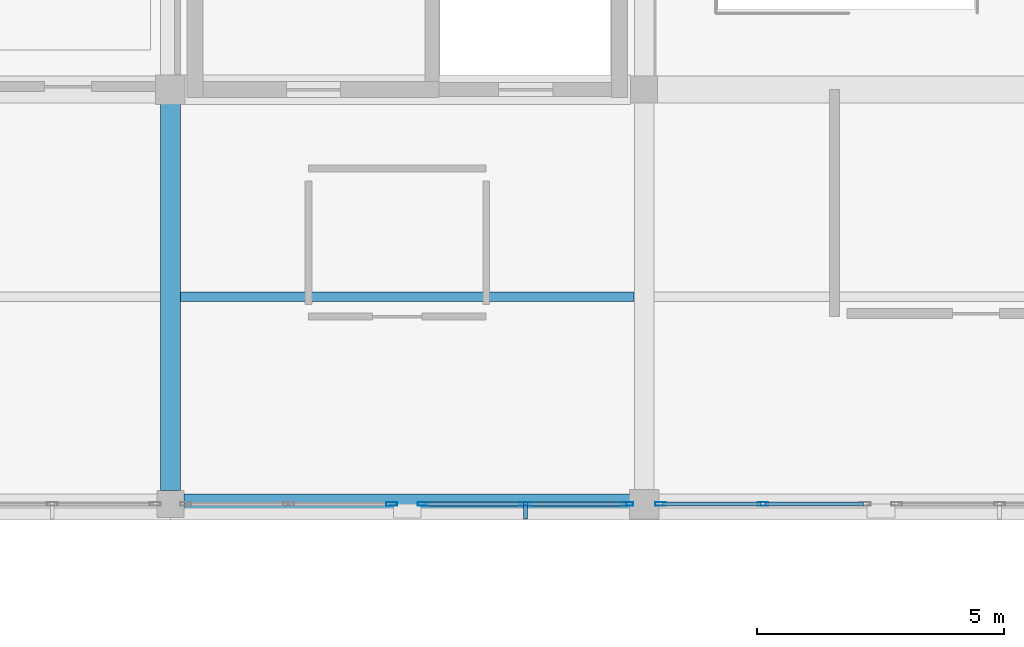
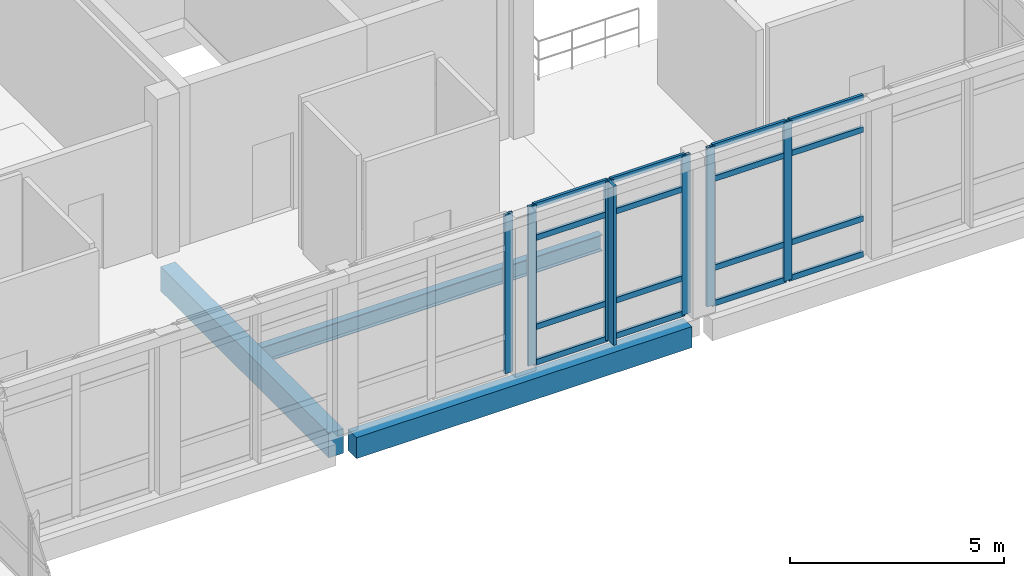
# One storey, part 21 of 88: 23 members, 3 beams, 3 elements without a shape of their own.
"""IFC4 building model written with IfcOpenShell, lengths in metres."""

import ifcopenshell
import ifcopenshell.guid

model = None  # the IFC model being written
_history = None  # IfcOwnerHistory: only IFC2X3 demands one
_inside = {}  # id of a spatial element -> (the spatial element, [elements in it])
_under = {}  # id of a project, library or spatial element -> (it, [spatial elements below it])
_declared = {}  # id of a project -> (the project, [libraries it declares])
_typed = {}  # id of a type object -> (the type object, [elements of that type])
_made_of = {}  # id of a material, layer set ... -> (it, [elements and type objects made of it])


def new_model(schema):
    """Start an empty IFC model of exactly this schema.

    Asked for "IFC4X3", IfcOpenShell would pick the latest addendum, in which some entities
    have other attributes; the version numbers below select the first issue.
    IFC2X3 requires an IfcOwnerHistory on every rooted entity: one is made here for all.
    """
    global model, _history
    if schema == "IFC4X3":
        model = ifcopenshell.file(schema_version=(4, 3, 0, 0))
    else:
        model = ifcopenshell.file(schema=schema)
    _inside.clear()
    _under.clear()
    _declared.clear()
    _typed.clear()
    _made_of.clear()
    _history = None
    if model.schema == "IFC2X3":
        org = make("IfcOrganization", Name="unknown")
        user = make(
            "IfcPersonAndOrganization",
            ThePerson=make("IfcPerson", FamilyName="unknown"),
            TheOrganization=org,
        )
        app = make(
            "IfcApplication",
            ApplicationDeveloper=org,
            Version="unknown",
            ApplicationFullName="unknown",
            ApplicationIdentifier="unknown",
        )
        _history = make(
            "IfcOwnerHistory",
            OwningUser=user,
            OwningApplication=app,
            ChangeAction="ADDED",
            CreationDate=0,
        )
    return model


def make(cls, **values):
    """One entity of the class cls with the attributes given. An attribute that is None is left unset."""
    return model.create_entity(
        cls, **{name: value for name, value in values.items() if value is not None}
    )


def rooted(cls, **values):
    """An entity with a GlobalId (a new one), such as an element, a storey or a relation."""
    return make(cls, GlobalId=ifcopenshell.guid.new(), OwnerHistory=_history, **values)


def si_unit(unit_type, name, prefix=None):
    """IfcSIUnit, for example si_unit("LENGTHUNIT", "METRE", prefix="MILLI")."""
    return make("IfcSIUnit", UnitType=unit_type, Prefix=prefix, Name=name)


def assignment(units):
    """IfcUnitAssignment: the units of a project."""
    return None if units is None else make("IfcUnitAssignment", Units=units)


def point(xyz):
    """IfcCartesianPoint."""
    return None if xyz is None else make("IfcCartesianPoint", Coordinates=xyz)


def direction(xyz):
    """IfcDirection."""
    return None if xyz is None else make("IfcDirection", DirectionRatios=xyz)


def frame(location, z_axis=None, x_axis=None):
    """IfcAxis2Placement3D, a coordinate frame: its origin and axes. An axis left out is left unset."""
    return make(
        "IfcAxis2Placement3D",
        Location=point(location),
        Axis=direction(z_axis),
        RefDirection=direction(x_axis),
    )


def frame_2d(location, x_axis=None):
    """IfcAxis2Placement2D, a coordinate frame in the plane: its origin and x axis."""
    return make(
        "IfcAxis2Placement2D", Location=point(location), RefDirection=direction(x_axis)
    )


def origin():
    """The frame at (0, 0, 0) with its axes left unset."""
    return frame((0.0, 0.0, 0.0))


def origin_2d():
    """The frame at (0, 0) in the plane with its x axis left unset."""
    return frame_2d((0.0, 0.0))


def place(relative_to, where):
    """IfcLocalPlacement: puts the frame where relative to a parent placement (None: the world)."""
    return make(
        "IfcLocalPlacement", PlacementRelTo=relative_to, RelativePlacement=where
    )


def context(
    kind, dimensions, precision=None, world=None, true_north=None, identifier=None
):
    """IfcGeometricRepresentationContext, for example the 3D "Model" context."""
    return make(
        "IfcGeometricRepresentationContext",
        ContextIdentifier=identifier,
        ContextType=kind,
        CoordinateSpaceDimension=dimensions,
        Precision=precision,
        WorldCoordinateSystem=world,
        TrueNorth=true_north,
    )


def subcontext(parent, identifier, kind, view, scale=None):
    """IfcGeometricRepresentationSubContext, for example "Body" below "Model"."""
    return make(
        "IfcGeometricRepresentationSubContext",
        ContextIdentifier=identifier,
        ContextType=kind,
        ParentContext=parent,
        TargetScale=scale,
        TargetView=view,
    )


def project(units=None, contexts=None):
    """IfcProject with its units and contexts."""
    return rooted(
        "IfcProject",
        Name="project",
        RepresentationContexts=contexts,
        UnitsInContext=assignment(units),
    )


def spatial(cls, under=None, at=None, **own):
    """A site, building, storey or space (cls), placed at a placement, below another one or the project."""
    s = rooted(cls, ObjectPlacement=at, **own)
    if under is not None:
        _under.setdefault(under.id(), (under, []))[1].append(s)
    return s


def profile(cls, at=None, kind="AREA", **sizes):
    """A parametric profile (cls). Its sizes go by their IFC names, for example OverallWidth=200.0."""
    return make(cls, ProfileType=kind, Position=at, **sizes)


def rectangle(**sizes):
    """IfcRectangleProfileDef."""
    return profile("IfcRectangleProfileDef", **sizes)


def hollow_rectangle(**sizes):
    """IfcRectangleHollowProfileDef."""
    return profile("IfcRectangleHollowProfileDef", **sizes)


def i_section(**sizes):
    """IfcIShapeProfileDef."""
    return profile("IfcIShapeProfileDef", **sizes)


def extrude(swept, where, along, depth):
    """IfcExtrudedAreaSolid: the profile swept, set in the frame where, extruded along a direction by depth."""
    return make(
        "IfcExtrudedAreaSolid",
        SweptArea=swept,
        Position=where,
        ExtrudedDirection=direction(along),
        Depth=depth,
    )


def shape(context_of_items, identifier, shape_type, items):
    """IfcShapeRepresentation: the items that make up one representation, for example the "Body"."""
    return make(
        "IfcShapeRepresentation",
        ContextOfItems=context_of_items,
        RepresentationIdentifier=identifier,
        RepresentationType=shape_type,
        Items=items,
    )


def material(Name=None, Category=None):
    """IfcMaterial."""
    return make("IfcMaterial", Name=Name, Category=Category)


def layer(
    of_material, thickness, ventilated=None, Name=None, Category=None, Priority=None
):
    """IfcMaterialLayer: one layer of a wall or slab, of a material (None: an air gap)."""
    return make(
        "IfcMaterialLayer",
        Material=of_material,
        LayerThickness=thickness,
        IsVentilated=ventilated,
        Name=Name,
        Category=Category,
        Priority=Priority,
    )


def layer_set(layers, Name=None):
    """IfcMaterialLayerSet."""
    return make("IfcMaterialLayerSet", MaterialLayers=layers, LayerSetName=Name)


def material_profile(
    of_material, cross_section, Name=None, Category=None, Priority=None
):
    """IfcMaterialProfile: a cross section and its material."""
    return make(
        "IfcMaterialProfile",
        Name=Name,
        Material=of_material,
        Profile=cross_section,
        Priority=Priority,
        Category=Category,
    )


def profile_set(profiles, Name=None, composite=None):
    """IfcMaterialProfileSet."""
    return make(
        "IfcMaterialProfileSet",
        Name=Name,
        MaterialProfiles=profiles,
        CompositeProfile=composite,
    )


def made_of(thing, what):
    """Note that an element or type object is made of a material, layer set ...; save() writes the relation."""
    if what is not None:
        _made_of.setdefault(what.id(), (what, []))[1].append(thing)
    return thing


def type_object(cls, material=None, **own):
    """A type object (cls), such as IfcWallType, which elements share."""
    return made_of(rooted(cls, **own), material)


def element(
    cls,
    number,
    at=None,
    inside=None,
    cuts=None,
    type_object=None,
    material=None,
    context=None,
    identifier="Body",
    shape_type=None,
    held_by="IfcProductDefinitionShape",
    body=None,
    shapes=None,
    **own,
):
    """One element of the class cls, such as IfcWall. Its Tag is "e" and its number.

    at: its placement. inside: the storey or other place that contains it. cuts: it is an
    opening in that element (IfcRelVoidsElement). A single representation is given by context,
    identifier, shape_type and body (its items); several are given by shapes. held_by: the class
    of the entity that holds the representations. save() writes the other relations.
    """
    e = rooted(cls, Tag="e%d" % number, ObjectPlacement=at, **own)
    if body is not None:
        shapes = [shape(context, identifier, shape_type, body)]
    if shapes is not None:
        e.Representation = make(held_by, Representations=shapes)
    if inside is not None:
        _inside.setdefault(inside.id(), (inside, []))[1].append(e)
    if cuts is not None:
        rooted(
            "IfcRelVoidsElement", RelatingBuildingElement=cuts, RelatedOpeningElement=e
        )
    if type_object is not None:
        _typed.setdefault(type_object.id(), (type_object, []))[1].append(e)
    return made_of(e, material)


def aggregate(whole, parts):
    """IfcRelAggregates: a whole, such as a stair, and the parts it consists of."""
    return rooted("IfcRelAggregates", RelatingObject=whole, RelatedObjects=parts)


def save(model, path):
    """Write the relations noted so far, then the file.

    IfcRelAggregates (storeys below a building ...), IfcRelContainedInSpatialStructure (elements
    in a storey), IfcRelDefinesByType, IfcRelAssociatesMaterial and IfcRelDeclares: one each for
    every whole, place, type object, material and project.
    """
    for whole, parts in _under.values():
        aggregate(whole, parts)
    for where, things in _inside.values():
        rooted(
            "IfcRelContainedInSpatialStructure",
            RelatedElements=things,
            RelatingStructure=where,
        )
    for kind, things in _typed.values():
        rooted("IfcRelDefinesByType", RelatedObjects=things, RelatingType=kind)
    for what, things in _made_of.values():
        rooted("IfcRelAssociatesMaterial", RelatedObjects=things, RelatingMaterial=what)
    for by, libraries in _declared.values():
        rooted("IfcRelDeclares", RelatingContext=by, RelatedDefinitions=libraries)
    model.write(path)


model = new_model("IFC4")

# Units and contexts
model_context = context("Model", 3, precision=1e-05, world=origin(), true_north=direction((0.0, 1.0)))
body_context = subcontext(model_context, "Body", "Model", "MODEL_VIEW")
ifc_project = project(units=[si_unit("LENGTHUNIT", "METRE"), si_unit("AREAUNIT", "SQUARE_METRE"), si_unit("VOLUMEUNIT", "CUBIC_METRE"), si_unit("PLANEANGLEUNIT", "RADIAN"), si_unit("MASSUNIT", "GRAM", prefix="KILO")], contexts=[model_context])

# Site, building, storey
site_placement = place(None, origin())
site = spatial("IfcSite", under=ifc_project, at=site_placement, CompositionType="ELEMENT")
building_placement = place(site_placement, origin())
building = spatial("IfcBuilding", under=site, at=building_placement, Name="Lornevale Opera House", CompositionType="ELEMENT")
storey_placement = place(building_placement, frame((0.0, 0.0, 10.199951171875)))
storey = spatial("IfcBuildingStorey", under=building, at=storey_placement, Name="L03", CompositionType="ELEMENT", Elevation=10.199951171875)

# Beams
ifc_material_1 = material(Name="Concrete 35 MPa (CSA A23.1 N)", Category="concrete")
ifc_material_profile_1 = material_profile(ifc_material_1, rectangle(XDim=0.39990234375, YDim=0.699951171875, at=origin_2d()), Name="RC400x700")
ifc_profile_set_1 = profile_set([ifc_material_profile_1], Name="Concrete 35 MPa (CSA A23.1 N)")
beam_type_1 = type_object("IfcBeamType", Name="Concrete Floor Beam 400x700", PredefinedType="USERDEFINED", material=ifc_profile_set_1)
beam_1_placement = place(storey_placement, frame((48.0, 17.074951171875, -0.6298828125), z_axis=(0.0, 1.0, 0.0), x_axis=(-1.0, 0.0, 0.0)))
element("IfcBeam", 1, at=beam_1_placement, inside=storey, type_object=beam_type_1, Name="Concrete Floor Beam 400x700 2269", ObjectType="GIRDER", PredefinedType="USERDEFINED", context=body_context, shape_type="SweptSolid", body=[
    extrude(rectangle(XDim=0.39990234375, YDim=0.699951171875, at=origin_2d()), origin(), (0.0, 0.0, 1.0), 7.85009765625),
])
ifc_material_profile_2 = material_profile(ifc_material_1, rectangle(XDim=0.39990234375, YDim=0.60009765625, at=origin_2d()), Name="RC400x600")
ifc_profile_set_2 = profile_set([ifc_material_profile_2], Name="Concrete 35 MPa (CSA A23.1 N)")
beam_type_2 = type_object("IfcBeamType", Name="Concrete Spandrel Beam 400x600", PredefinedType="SPANDREL", material=ifc_profile_set_2)
beam_2_placement = place(storey_placement, frame((48.27490234375, 16.800048828125, -0.579833984375), z_axis=(1.0, 0.0, 0.0), x_axis=(0.0, 1.0, 0.0)))
element("IfcBeam", 2, at=beam_2_placement, inside=storey, type_object=beam_type_2, Name="Concrete Spandrel Beam 400x600 2096", PredefinedType="SPANDREL", context=body_context, shape_type="SweptSolid", body=[
    extrude(rectangle(XDim=0.39990234375, YDim=0.60009765625, at=origin_2d()), origin(), (0.0, 0.0, 1.0), 9.050048828125),
])

# Curtain wall, members
ifc_material_2 = material(Name="Anodized Oxide-Green Aluminium Framing", Category="aluminium")
ifc_layer = layer(ifc_material_2, 0.219970703125)
ifc_layer_set = layer_set([ifc_layer], Name="Anodized Oxide-Green Aluminium Framing")
curtain_wall_type = type_object("IfcCurtainWallType", Name="Winter-Garden Curtain Wall M1900", PredefinedType="NOTDEFINED", material=ifc_layer_set)
curtain_wall_1_placement = place(storey_placement, origin())
curtain_wall_1 = element("IfcCurtainWall", 3, at=curtain_wall_1_placement, inside=storey, type_object=curtain_wall_type, Name="Winter-Garden Curtain Wall M1900 CW-132", PredefinedType="NOTDEFINED")
ifc_material_profile_3 = material_profile(ifc_material_2, hollow_rectangle(XDim=0.074951171875, YDim=0.219970703125, WallThickness=0.0048828125, at=origin_2d()), Name="ALU75x220x5")
ifc_profile_set_3 = profile_set([ifc_material_profile_3], Name="Anodized Oxide-Green Aluminium Framing")
member_type_1 = type_object("IfcMemberType", Name="Curtain Wall Mullion 75x220", PredefinedType="MULLION", material=ifc_profile_set_3)
member_1_placement = place(storey_placement, frame((57.2666015625, 16.800048828125, 0.0), z_axis=(0.0, 0.0, 1.0), x_axis=(0.0, -1.0, 0.0)))
member_1 = element("IfcMember", 4, at=member_1_placement, type_object=member_type_1, Name="Curtain Wall Mullion 75x220 CW2724", PredefinedType="MULLION", context=body_context, shape_type="SweptSolid", body=[
    extrude(hollow_rectangle(XDim=0.074951171875, YDim=0.219970703125, WallThickness=0.0048828125, at=origin_2d()), origin(), (0.0, 0.0, 1.0), 4.5400390625),
])
member_2_placement = place(storey_placement, frame((55.19189453125, 16.800048828125, 0.0), z_axis=(0.0, 0.0, 1.0), x_axis=(0.0, -1.0, 0.0)))
member_2 = element("IfcMember", 5, at=member_2_placement, type_object=member_type_1, Name="Curtain Wall Mullion 75x220 CW2725", PredefinedType="MULLION", context=body_context, shape_type="SweptSolid", body=[
    extrude(hollow_rectangle(XDim=0.074951171875, YDim=0.219970703125, WallThickness=0.0048828125, at=origin_2d()), origin(), (0.0, 0.0, 1.0), 4.5400390625),
])
member_3_placement = place(storey_placement, frame((53.117431640625, 16.800048828125, 0.0), z_axis=(0.0, 0.0, 1.0), x_axis=(0.0, -1.0, 0.0)))
member_3 = element("IfcMember", 6, at=member_3_placement, type_object=member_type_1, Name="Curtain Wall Mullion 75x220 CW2726", PredefinedType="MULLION", context=body_context, shape_type="SweptSolid", body=[
    extrude(hollow_rectangle(XDim=0.074951171875, YDim=0.219970703125, WallThickness=0.0048828125, at=origin_2d()), origin(), (0.0, 0.0, 1.0), 4.5400390625),
])

# Curtain wall, member
curtain_wall_2_placement = place(storey_placement, origin())
curtain_wall_2 = element("IfcCurtainWall", 7, at=curtain_wall_2_placement, inside=storey, type_object=curtain_wall_type, Name="Winter-Garden Curtain Wall M1900 CW-133", PredefinedType="NOTDEFINED")
member_4_placement = place(storey_placement, frame((52.482421875, 16.800048828125, 0.0), z_axis=(0.0, 0.0, 1.0), x_axis=(0.0, -1.0, 0.0)))
member_4 = element("IfcMember", 8, at=member_4_placement, type_object=member_type_1, Name="Curtain Wall Mullion 75x220 CW2741", PredefinedType="MULLION", context=body_context, shape_type="SweptSolid", body=[
    extrude(hollow_rectangle(XDim=0.074951171875, YDim=0.219970703125, WallThickness=0.0048828125, at=origin_2d()), origin(), (0.0, 0.0, 1.0), 4.5400390625),
])
aggregate(curtain_wall_2, [member_4])

# Curtain wall, members
curtain_wall_3_placement = place(storey_placement, origin())
curtain_wall_3 = element("IfcCurtainWall", 9, at=curtain_wall_3_placement, inside=storey, type_object=curtain_wall_type, Name="Winter-Garden Curtain Wall M1900 CW-135", PredefinedType="NOTDEFINED")
member_5_placement = place(storey_placement, frame((60.008056640625, 16.800048828125, 0.0), z_axis=(0.0, 0.0, 1.0), x_axis=(0.0, -1.0, 0.0)))
member_5 = element("IfcMember", 10, at=member_5_placement, type_object=member_type_1, Name="Curtain Wall Mullion 75x220 CW2776", PredefinedType="MULLION", context=body_context, shape_type="SweptSolid", body=[
    extrude(hollow_rectangle(XDim=0.074951171875, YDim=0.219970703125, WallThickness=0.0048828125, at=origin_2d()), origin(), (0.0, 0.0, 1.0), 4.5400390625),
])
member_6_placement = place(storey_placement, frame((57.93359375, 16.800048828125, 0.0), z_axis=(0.0, 0.0, 1.0), x_axis=(0.0, -1.0, 0.0)))
member_6 = element("IfcMember", 11, at=member_6_placement, type_object=member_type_1, Name="Curtain Wall Mullion 75x220 CW2777", PredefinedType="MULLION", context=body_context, shape_type="SweptSolid", body=[
    extrude(hollow_rectangle(XDim=0.074951171875, YDim=0.219970703125, WallThickness=0.0048828125, at=origin_2d()), origin(), (0.0, 0.0, 1.0), 4.5400390625),
])

# Member
ifc_material_profile_4 = material_profile(ifc_material_2, hollow_rectangle(XDim=0.074951171875, YDim=0.159912109375, WallThickness=0.0048828125, at=origin_2d()), Name="ALU75x160x5")
ifc_profile_set_4 = profile_set([ifc_material_profile_4], Name="Anodized Oxide-Green Aluminium Framing")
member_type_2 = type_object("IfcMemberType", Name="Curtain Wall Transom 75x160", PredefinedType="USERDEFINED", material=ifc_profile_set_4)
member_7_placement = place(storey_placement, frame((57.22900390625, 16.800048828125, 0.03759765625), z_axis=(-1.0, 0.0, 0.0), x_axis=(0.0, -1.0, 0.0)))
member_7 = element("IfcMember", 12, at=member_7_placement, type_object=member_type_2, Name="Curtain Wall Transom 75x160 CW2727", ObjectType="TRANSOM", PredefinedType="USERDEFINED", context=body_context, shape_type="SweptSolid", body=[
    extrude(hollow_rectangle(XDim=0.074951171875, YDim=0.159912109375, WallThickness=0.0048828125, at=origin_2d()), origin(), (0.0, 0.0, 1.0), 1.99951171875),
])

member_8_placement = place(storey_placement, frame((57.22900390625, 16.800048828125, 1.050048828125), z_axis=(-1.0, 0.0, 0.0), x_axis=(0.0, -1.0, 0.0)))
member_8 = element("IfcMember", 13, at=member_8_placement, type_object=member_type_2, Name="Curtain Wall Transom 75x160 CW2728", ObjectType="TRANSOM", PredefinedType="USERDEFINED", context=body_context, shape_type="SweptSolid", body=[
    extrude(hollow_rectangle(XDim=0.074951171875, YDim=0.159912109375, WallThickness=0.0048828125, at=origin_2d()), origin(), (0.0, 0.0, 1.0), 1.99951171875),
])

member_9_placement = place(storey_placement, frame((57.22900390625, 16.800048828125, 3.590087890625), z_axis=(-1.0, 0.0, 0.0), x_axis=(0.0, -1.0, 0.0)))
member_9 = element("IfcMember", 14, at=member_9_placement, type_object=member_type_2, Name="Curtain Wall Transom 75x160 CW2729", ObjectType="TRANSOM", PredefinedType="USERDEFINED", context=body_context, shape_type="SweptSolid", body=[
    extrude(hollow_rectangle(XDim=0.074951171875, YDim=0.159912109375, WallThickness=0.0048828125, at=origin_2d()), origin(), (0.0, 0.0, 1.0), 1.99951171875),
])

member_10_placement = place(storey_placement, frame((57.22900390625, 16.800048828125, 4.50244140625), z_axis=(-1.0, 0.0, 0.0), x_axis=(0.0, -1.0, 0.0)))
member_10 = element("IfcMember", 15, at=member_10_placement, type_object=member_type_2, Name="Curtain Wall Transom 75x160 CW2730", ObjectType="TRANSOM", PredefinedType="USERDEFINED", context=body_context, shape_type="SweptSolid", body=[
    extrude(hollow_rectangle(XDim=0.074951171875, YDim=0.159912109375, WallThickness=0.0048828125, at=origin_2d()), origin(), (0.0, 0.0, 1.0), 1.99951171875),
])

member_11_placement = place(storey_placement, frame((55.154541015625, 16.800048828125, 0.03759765625), z_axis=(-1.0, 0.0, 0.0), x_axis=(0.0, -1.0, 0.0)))
member_11 = element("IfcMember", 16, at=member_11_placement, type_object=member_type_2, Name="Curtain Wall Transom 75x160 CW2734", ObjectType="TRANSOM", PredefinedType="USERDEFINED", context=body_context, shape_type="SweptSolid", body=[
    extrude(hollow_rectangle(XDim=0.074951171875, YDim=0.159912109375, WallThickness=0.0048828125, at=origin_2d()), origin(), (0.0, 0.0, 1.0), 1.99951171875),
])

member_12_placement = place(storey_placement, frame((55.154541015625, 16.800048828125, 1.050048828125), z_axis=(-1.0, 0.0, 0.0), x_axis=(0.0, -1.0, 0.0)))
member_12 = element("IfcMember", 17, at=member_12_placement, type_object=member_type_2, Name="Curtain Wall Transom 75x160 CW2735", ObjectType="TRANSOM", PredefinedType="USERDEFINED", context=body_context, shape_type="SweptSolid", body=[
    extrude(hollow_rectangle(XDim=0.074951171875, YDim=0.159912109375, WallThickness=0.0048828125, at=origin_2d()), origin(), (0.0, 0.0, 1.0), 1.99951171875),
])

member_13_placement = place(storey_placement, frame((55.154541015625, 16.800048828125, 3.590087890625), z_axis=(-1.0, 0.0, 0.0), x_axis=(0.0, -1.0, 0.0)))
member_13 = element("IfcMember", 18, at=member_13_placement, type_object=member_type_2, Name="Curtain Wall Transom 75x160 CW2736", ObjectType="TRANSOM", PredefinedType="USERDEFINED", context=body_context, shape_type="SweptSolid", body=[
    extrude(hollow_rectangle(XDim=0.074951171875, YDim=0.159912109375, WallThickness=0.0048828125, at=origin_2d()), origin(), (0.0, 0.0, 1.0), 1.99951171875),
])

member_14_placement = place(storey_placement, frame((55.154541015625, 16.800048828125, 4.50244140625), z_axis=(-1.0, 0.0, 0.0), x_axis=(0.0, -1.0, 0.0)))
member_14 = element("IfcMember", 19, at=member_14_placement, type_object=member_type_2, Name="Curtain Wall Transom 75x160 CW2737", ObjectType="TRANSOM", PredefinedType="USERDEFINED", context=body_context, shape_type="SweptSolid", body=[
    extrude(hollow_rectangle(XDim=0.074951171875, YDim=0.159912109375, WallThickness=0.0048828125, at=origin_2d()), origin(), (0.0, 0.0, 1.0), 1.99951171875),
])

member_15_placement = place(storey_placement, frame((62.044921875, 16.800048828125, 0.03759765625), z_axis=(-1.0, 0.0, 0.0), x_axis=(0.0, -1.0, 0.0)))
member_15 = element("IfcMember", 20, at=member_15_placement, type_object=member_type_2, Name="Curtain Wall Transom 75x160 CW2778", ObjectType="TRANSOM", PredefinedType="USERDEFINED", context=body_context, shape_type="SweptSolid", body=[
    extrude(hollow_rectangle(XDim=0.074951171875, YDim=0.159912109375, WallThickness=0.0048828125, at=origin_2d()), origin(), (0.0, 0.0, 1.0), 1.99951171875),
])

member_16_placement = place(storey_placement, frame((62.044921875, 16.800048828125, 1.050048828125), z_axis=(-1.0, 0.0, 0.0), x_axis=(0.0, -1.0, 0.0)))
member_16 = element("IfcMember", 21, at=member_16_placement, type_object=member_type_2, Name="Curtain Wall Transom 75x160 CW2779", ObjectType="TRANSOM", PredefinedType="USERDEFINED", context=body_context, shape_type="SweptSolid", body=[
    extrude(hollow_rectangle(XDim=0.074951171875, YDim=0.159912109375, WallThickness=0.0048828125, at=origin_2d()), origin(), (0.0, 0.0, 1.0), 1.99951171875),
])

member_17_placement = place(storey_placement, frame((62.044921875, 16.800048828125, 3.590087890625), z_axis=(-1.0, 0.0, 0.0), x_axis=(0.0, -1.0, 0.0)))
member_17 = element("IfcMember", 22, at=member_17_placement, type_object=member_type_2, Name="Curtain Wall Transom 75x160 CW2780", ObjectType="TRANSOM", PredefinedType="USERDEFINED", context=body_context, shape_type="SweptSolid", body=[
    extrude(hollow_rectangle(XDim=0.074951171875, YDim=0.159912109375, WallThickness=0.0048828125, at=origin_2d()), origin(), (0.0, 0.0, 1.0), 1.99951171875),
])

member_18_placement = place(storey_placement, frame((62.044921875, 16.800048828125, 4.50244140625), z_axis=(-1.0, 0.0, 0.0), x_axis=(0.0, -1.0, 0.0)))
member_18 = element("IfcMember", 23, at=member_18_placement, type_object=member_type_2, Name="Curtain Wall Transom 75x160 CW2781", ObjectType="TRANSOM", PredefinedType="USERDEFINED", context=body_context, shape_type="SweptSolid", body=[
    extrude(hollow_rectangle(XDim=0.074951171875, YDim=0.159912109375, WallThickness=0.0048828125, at=origin_2d()), origin(), (0.0, 0.0, 1.0), 1.99951171875),
])

member_19_placement = place(storey_placement, frame((59.970458984375, 16.800048828125, 0.03759765625), z_axis=(-1.0, 0.0, 0.0), x_axis=(0.0, -1.0, 0.0)))
member_19 = element("IfcMember", 24, at=member_19_placement, type_object=member_type_2, Name="Curtain Wall Transom 75x160 CW2785", ObjectType="TRANSOM", PredefinedType="USERDEFINED", context=body_context, shape_type="SweptSolid", body=[
    extrude(hollow_rectangle(XDim=0.074951171875, YDim=0.159912109375, WallThickness=0.0048828125, at=origin_2d()), origin(), (0.0, 0.0, 1.0), 1.99951171875),
])

member_20_placement = place(storey_placement, frame((59.970458984375, 16.800048828125, 1.050048828125), z_axis=(-1.0, 0.0, 0.0), x_axis=(0.0, -1.0, 0.0)))
member_20 = element("IfcMember", 25, at=member_20_placement, type_object=member_type_2, Name="Curtain Wall Transom 75x160 CW2786", ObjectType="TRANSOM", PredefinedType="USERDEFINED", context=body_context, shape_type="SweptSolid", body=[
    extrude(hollow_rectangle(XDim=0.074951171875, YDim=0.159912109375, WallThickness=0.0048828125, at=origin_2d()), origin(), (0.0, 0.0, 1.0), 1.99951171875),
])

member_21_placement = place(storey_placement, frame((59.970458984375, 16.800048828125, 3.590087890625), z_axis=(-1.0, 0.0, 0.0), x_axis=(0.0, -1.0, 0.0)))
member_21 = element("IfcMember", 26, at=member_21_placement, type_object=member_type_2, Name="Curtain Wall Transom 75x160 CW2787", ObjectType="TRANSOM", PredefinedType="USERDEFINED", context=body_context, shape_type="SweptSolid", body=[
    extrude(hollow_rectangle(XDim=0.074951171875, YDim=0.159912109375, WallThickness=0.0048828125, at=origin_2d()), origin(), (0.0, 0.0, 1.0), 1.99951171875),
])

member_22_placement = place(storey_placement, frame((59.970458984375, 16.800048828125, 4.50244140625), z_axis=(-1.0, 0.0, 0.0), x_axis=(0.0, -1.0, 0.0)))
member_22 = element("IfcMember", 27, at=member_22_placement, type_object=member_type_2, Name="Curtain Wall Transom 75x160 CW2788", ObjectType="TRANSOM", PredefinedType="USERDEFINED", context=body_context, shape_type="SweptSolid", body=[
    extrude(hollow_rectangle(XDim=0.074951171875, YDim=0.159912109375, WallThickness=0.0048828125, at=origin_2d()), origin(), (0.0, 0.0, 1.0), 1.99951171875),
])

aggregate(curtain_wall_3, [member_5, member_6, member_15, member_16, member_17, member_18, member_19, member_20, member_21, member_22])

ifc_material_3 = material(Name="Architectural Bronze Solar Louvre Alloy", Category="metal")
ifc_material_profile_5 = material_profile(ifc_material_3, rectangle(XDim=0.080078125, YDim=0.360107421875, at=origin_2d()), Name="FIN80x360")
ifc_profile_set_5 = profile_set([ifc_material_profile_5], Name="Architectural Bronze Solar Louvre Alloy")
member_type_3 = type_object("IfcMemberType", Name="Solar Shading Fin 80x360", PredefinedType="USERDEFINED", material=ifc_profile_set_5)
member_23_placement = place(storey_placement, frame((55.19189453125, 16.674072265625, 0.0), z_axis=(0.0, 0.0, 1.0), x_axis=(-1.0, 0.0, 0.0)))
member_23 = element("IfcMember", 28, at=member_23_placement, type_object=member_type_3, Name="Solar Shading Fin 80x360 FIN0053", ObjectType="SOLAR FIN", PredefinedType="USERDEFINED", context=body_context, shape_type="SweptSolid", body=[
    extrude(rectangle(XDim=0.080078125, YDim=0.360107421875, at=origin_2d()), origin(), (0.0, 0.0, 1.0), 4.5400390625),
])

aggregate(curtain_wall_1, [member_1, member_2, member_3, member_7, member_8, member_9, member_10, member_11, member_12, member_13, member_14, member_23])

# Beam
ifc_material_4 = material(Name="Structural Steel CSA G40.21 Grade 350W (350 MPa)", Category="steel")
ifc_material_profile_6 = material_profile(ifc_material_4, i_section(OverallWidth=0.19189453125, OverallDepth=0.462890625, WebThickness=0.010498046875, FlangeThickness=0.017578125, at=origin_2d()), Name="W460x89")
ifc_profile_set_6 = profile_set([ifc_material_profile_6], Name="Structural Steel CSA G40.21 Grade 350W (350 MPa)")
beam_type_3 = type_object("IfcBeamType", Name="Steel Floor Joist W460x89", PredefinedType="JOIST", material=ifc_profile_set_6)
beam_3_placement = place(storey_placement, frame((48.199951171875, 21.0, -0.5263671875), z_axis=(1.0, 0.0, 0.0), x_axis=(0.0, 1.0, 0.0)))
element("IfcBeam", 29, at=beam_3_placement, inside=storey, type_object=beam_type_3, Name="Steel Floor Joist W460x89 2399", PredefinedType="JOIST", context=body_context, shape_type="SweptSolid", body=[
    extrude(i_section(OverallWidth=0.19189453125, OverallDepth=0.462890625, WebThickness=0.010498046875, FlangeThickness=0.017578125, at=origin_2d()), origin(), (0.0, 0.0, 1.0), 9.199951171875),
])

save(model, "model.ifc")
